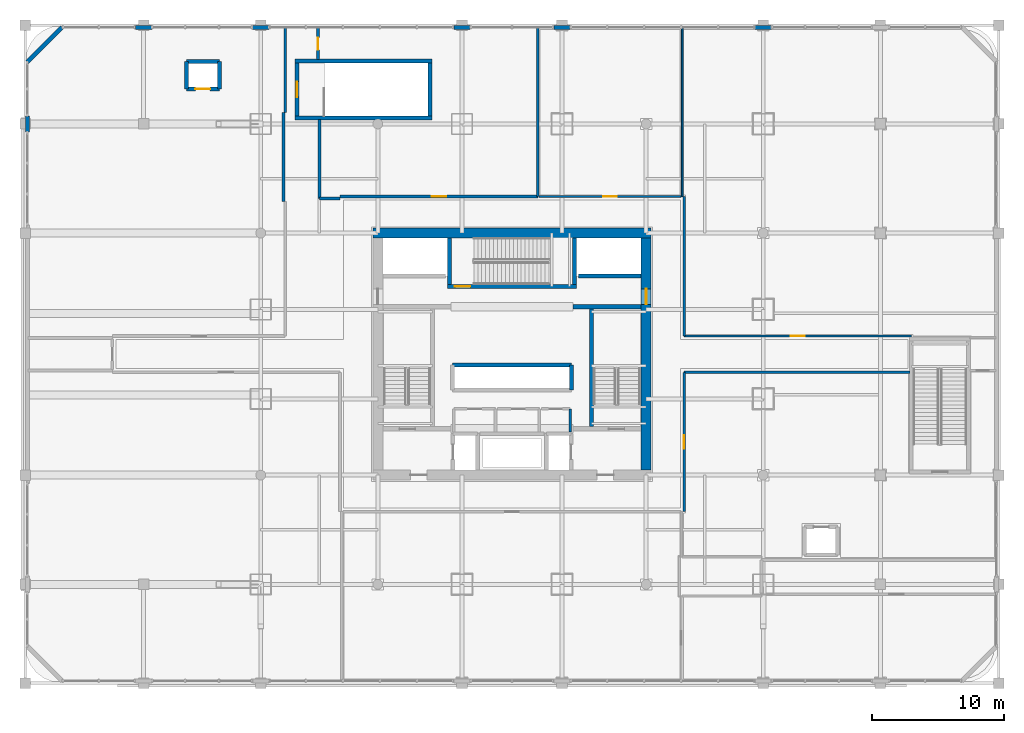
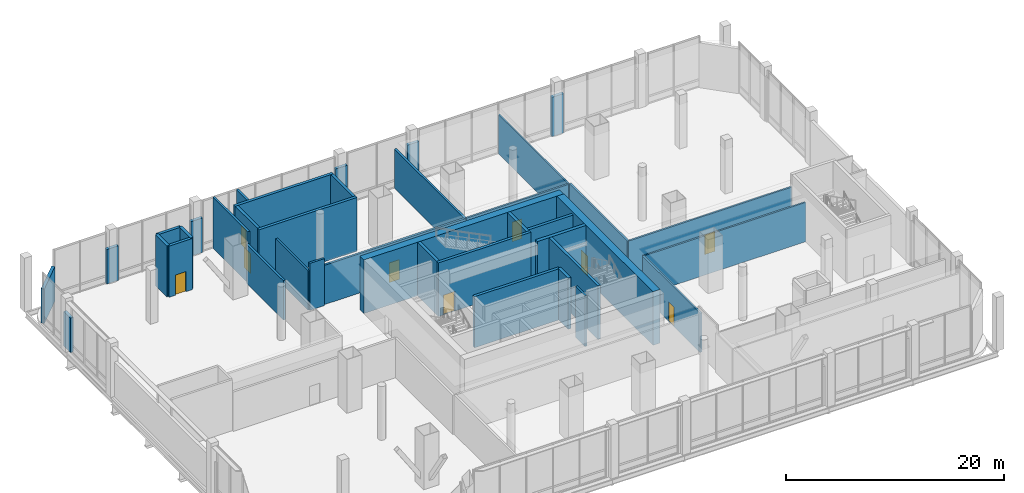
# One storey, part 28 of 38: 39 walls, 9 doors, 9 openings.
"""IFC4 building model written with IfcOpenShell, lengths in metres."""

from ifc_helpers import new_model, si_unit, direction, frame, frame_2d, origin, place, context, subcontext, project, spatial, rectangle, extrude, material, layer, layer_set, type_object, element, fill, save


model = new_model("IFC4")

# Units and contexts
model_context = context("Model", 3, precision=1e-05, world=origin(), true_north=direction((0.0, 1.0)))
body_context = subcontext(model_context, "Body", "Model", "MODEL_VIEW")
ifc_project = project(units=[si_unit("LENGTHUNIT", "METRE"), si_unit("AREAUNIT", "SQUARE_METRE"), si_unit("VOLUMEUNIT", "CUBIC_METRE"), si_unit("PLANEANGLEUNIT", "RADIAN"), si_unit("MASSUNIT", "GRAM", prefix="KILO")], contexts=[model_context])

# Site, building, storey
site_placement = place(None, origin())
site = spatial("IfcSite", under=ifc_project, at=site_placement, CompositionType="ELEMENT")
building_placement = place(site_placement, origin())
building = spatial("IfcBuilding", under=site, at=building_placement, Name="Punatoya Terracotta Tower", CompositionType="ELEMENT")
storey_placement = place(building_placement, frame((0.0, 0.0, 22.199951171875)))
storey = spatial("IfcBuildingStorey", under=building, at=storey_placement, Name="L04", CompositionType="ELEMENT", Elevation=22.199951171875)

# Wall
ifc_material_1 = material(Name="Concrete C60/75", Category="concrete")
ifc_layer_1 = layer(ifc_material_1, 0.75)
ifc_layer_set_1 = layer_set([ifc_layer_1], Name="Concrete C60/75")
wall_type_1 = type_object("IfcWallType", Name="WL-COR-750", PredefinedType="SHEAR", material=ifc_layer_set_1)
wall_1_placement = place(storey_placement, frame((-10.574951171875, 9.199951171875, 0.0), z_axis=(0.0, 0.0, 1.0), x_axis=(1.0, 0.0, 0.0)))
element("IfcWall", 1, at=wall_1_placement, inside=storey, type_object=wall_type_1, Name="L04 Core Shear Wall N", PredefinedType="SHEAR", context=body_context, shape_type="SweptSolid", body=[
    extrude(rectangle(XDim=21.14990234375, YDim=0.75, at=frame_2d((10.574951171875, 0.0))), origin(), (0.0, 0.0, 1.0), 6.0),
])

# Wall, opening, door
wall_2_placement = place(storey_placement, frame((10.199951171875, 8.824951171875, 0.0), z_axis=(0.0, 0.0, 1.0), x_axis=(0.0, -1.0, 0.0)))
wall_2 = element("IfcWall", 2, at=wall_2_placement, inside=storey, type_object=wall_type_1, Name="L04 Core Shear Wall E", PredefinedType="SHEAR", context=body_context, shape_type="SweptSolid", body=[
    extrude(rectangle(XDim=17.64990234375, YDim=0.75, at=frame_2d((8.824951171875, 0.0))), origin(), (0.0, 0.0, 1.0), 6.0),
])
opening_1_placement = place(wall_2_placement, frame((3.85498046875, 0.0, 0.0)))
opening_1 = element("IfcOpeningElement", 3, at=opening_1_placement, cuts=wall_2, Name="Opening SD-01", PredefinedType="OPENING", context=body_context, shape_type="SweptSolid", body=[
    extrude(rectangle(XDim=1.179931640625, YDim=2.199951171875, at=frame_2d((0.58984375, 1.10009765625))), frame((0.0, 0.385009765625, 0.0), z_axis=(0.0, -1.0, 0.0), x_axis=(1.0, 0.0, 0.0)), (0.0, 0.0, 1.0), 0.77001953125),
])
ifc_material_2 = material(Name="Galvanised Steel Pressurized Stair Fire Door", Category="steel")
door_type_1 = type_object("IfcDoorType", Name="DR-STR-1180", OperationType="NOTDEFINED", PredefinedType="DOOR", material=ifc_material_2)
door_1_placement = place(opening_1_placement, origin())
door_1 = element("IfcDoor", 4, at=door_1_placement, inside=storey, type_object=door_type_1, Name="L04 Central Lift Lobby East Fire Door", OperationType="SINGLE_SWING_RIGHT", OverallHeight=2.199951171875, OverallWidth=1.179931640625, PredefinedType="DOOR", context=body_context, shape_type="SweptSolid", body=[
    extrude(rectangle(XDim=1.179931640625, YDim=2.199951171875, at=frame_2d((0.58984375, 1.10009765625))), frame((0.0, 0.02490234375, 0.0), z_axis=(0.0, -1.0, 0.0), x_axis=(1.0, 0.0, 0.0)), (0.0, 0.0, 1.0), 0.050048828125),
])
fill(opening_1, door_1)

ifc_material_3 = material(Name="Gypsum Fireboard + Steel Stud", Category="steel")
ifc_layer_2 = layer(ifc_material_3, 0.179931640625)
ifc_layer_set_2 = layer_set([ifc_layer_2], Name="Gypsum Fireboard + Steel Stud")
wall_type_2 = type_object("IfcWallType", Name="WL-CORR-180", PredefinedType="PARTITIONING", material=ifc_layer_set_2)
wall_3_placement = place(storey_placement, frame((13.080078125, -11.97998046875, 0.0), z_axis=(0.0, 0.0, 1.0), x_axis=(0.0, 1.0, 0.0)))
wall_3 = element("IfcWall", 5, at=wall_3_placement, inside=storey, type_object=wall_type_2, Name="L04 South-East Staff Wellness Fitness Studio Partition 28", PredefinedType="PARTITIONING", context=body_context, shape_type="SweptSolid", body=[
    extrude(rectangle(XDim=10.60009765625, YDim=0.179931640625, at=frame_2d((5.300048828125, 0.0))), origin(), (0.0, 0.0, 1.0), 4.39404296875),
])
opening_2_placement = place(wall_3_placement, frame((4.77490234375, 0.0, 0.0)))
opening_2 = element("IfcOpeningElement", 6, at=opening_2_placement, cuts=wall_3, Name="Opening OD-01", PredefinedType="OPENING", context=body_context, shape_type="SweptSolid", body=[
    extrude(rectangle(XDim=1.050048828125, YDim=2.199951171875, at=frame_2d((0.52490234375, 1.10009765625))), frame((0.0, 0.099853515625, 0.0), z_axis=(0.0, -1.0, 0.0), x_axis=(1.0, 0.0, 0.0)), (0.0, 0.0, 1.0), 0.199951171875),
])
ifc_material_4 = material(Name="Bengal Teak Solid-Core Leaf")
door_type_2 = type_object("IfcDoorType", Name="DR-OFF-1050", OperationType="NOTDEFINED", PredefinedType="DOOR", material=ifc_material_4)
door_2_placement = place(opening_2_placement, origin())
door_2 = element("IfcDoor", 7, at=door_2_placement, inside=storey, type_object=door_type_2, Name="L04 South-East Staff Wellness Fitness Studio Door", OperationType="SINGLE_SWING_RIGHT", OverallHeight=2.199951171875, OverallWidth=1.050048828125, PredefinedType="DOOR", context=body_context, shape_type="SweptSolid", body=[
    extrude(rectangle(XDim=1.050048828125, YDim=2.199951171875, at=frame_2d((0.52490234375, 1.10009765625))), frame((0.0, 0.02490234375, 0.0), z_axis=(0.0, -1.0, 0.0), x_axis=(1.0, 0.0, 0.0)), (0.0, 0.0, 1.0), 0.050048828125),
])
fill(opening_2, door_2)

# Wall
wall_4_placement = place(storey_placement, frame((13.080078125, -1.3798828125, 0.0), z_axis=(0.0, 0.0, 1.0), x_axis=(1.0, 0.0, 0.0)))
element("IfcWall", 8, at=wall_4_placement, inside=storey, type_object=wall_type_2, Name="L04 South-East Staff Wellness Fitness Studio Partition 29", PredefinedType="PARTITIONING", context=body_context, shape_type="SweptSolid", body=[
    extrude(rectangle(XDim=17.159912109375, YDim=0.179931640625, at=frame_2d((8.580078125, 0.0))), origin(), (0.0, 0.0, 1.0), 4.39404296875),
])

# Wall, opening, door
wall_5_placement = place(storey_placement, frame((30.3798828125, 1.3798828125, 0.0), z_axis=(0.0, 0.0, 1.0), x_axis=(-1.0, 0.0, 0.0)))
wall_5 = element("IfcWall", 9, at=wall_5_placement, inside=storey, type_object=wall_type_2, Name="L04 North-East Staff Wellness and First-Aid Suite Partition 36", PredefinedType="PARTITIONING", context=body_context, shape_type="SweptSolid", body=[
    extrude(rectangle(XDim=17.2998046875, YDim=0.179931640625, at=frame_2d((8.64990234375, 0.0))), origin(), (0.0, 0.0, 1.0), 4.39404296875),
])
opening_3_placement = place(wall_5_placement, frame((8.125, 0.0, 0.0)))
opening_3 = element("IfcOpeningElement", 10, at=opening_3_placement, cuts=wall_5, Name="Opening OD-01", PredefinedType="OPENING", context=body_context, shape_type="SweptSolid", body=[
    extrude(rectangle(XDim=1.050048828125, YDim=2.199951171875, at=frame_2d((0.52490234375, 1.10009765625))), frame((0.0, 0.099853515625, 0.0), z_axis=(0.0, -1.0, 0.0), x_axis=(1.0, 0.0, 0.0)), (0.0, 0.0, 1.0), 0.199951171875),
])
door_3_placement = place(opening_3_placement, origin())
door_3 = element("IfcDoor", 11, at=door_3_placement, inside=storey, type_object=door_type_2, Name="L04 North-East Staff Wellness and First-Aid Suite Door", OperationType="SINGLE_SWING_LEFT", OverallHeight=2.199951171875, OverallWidth=1.050048828125, PredefinedType="DOOR", context=body_context, shape_type="SweptSolid", body=[
    extrude(rectangle(XDim=1.050048828125, YDim=2.199951171875, at=frame_2d((0.52490234375, 1.10009765625))), frame((0.0, 0.02490234375, 0.0), z_axis=(0.0, -1.0, 0.0), x_axis=(1.0, 0.0, 0.0)), (0.0, 0.0, 1.0), 0.050048828125),
])
fill(opening_3, door_3)

# Wall
wall_6_placement = place(storey_placement, frame((13.080078125, 1.3798828125, 0.0), z_axis=(0.0, 0.0, 1.0), x_axis=(0.0, 1.0, 0.0)))
element("IfcWall", 12, at=wall_6_placement, inside=storey, type_object=wall_type_2, Name="L04 North-East Staff Wellness and First-Aid Suite Partition 37", PredefinedType="PARTITIONING", context=body_context, shape_type="SweptSolid", body=[
    extrude(rectangle(XDim=10.60009765625, YDim=0.179931640625, at=frame_2d((5.300048828125, 0.0))), origin(), (0.0, 0.0, 1.0), 4.39404296875),
])

# Wall, opening, door
wall_7_placement = place(storey_placement, frame((12.860107421875, 11.97998046875, 0.0), z_axis=(0.0, 0.0, 1.0), x_axis=(-1.0, 0.0, 0.0)))
wall_7 = element("IfcWall", 13, at=wall_7_placement, inside=storey, type_object=wall_type_2, Name="L04 North Facilities Engineering Office Partition 39", PredefinedType="PARTITIONING", context=body_context, shape_type="SweptSolid", body=[
    extrude(rectangle(XDim=10.820068359375, YDim=0.179931640625, at=frame_2d((5.41015625, 0.0))), origin(), (0.0, 0.0, 1.0), 4.39404296875),
])
opening_4_placement = place(wall_7_placement, frame((4.885009765625, 0.0, 0.0)))
opening_4 = element("IfcOpeningElement", 14, at=opening_4_placement, cuts=wall_7, Name="Opening OD-01", PredefinedType="OPENING", context=body_context, shape_type="SweptSolid", body=[
    extrude(rectangle(XDim=1.050048828125, YDim=2.199951171875, at=frame_2d((0.52490234375, 1.10009765625))), frame((0.0, 0.099853515625, 0.0), z_axis=(0.0, -1.0, 0.0), x_axis=(1.0, 0.0, 0.0)), (0.0, 0.0, 1.0), 0.199951171875),
])
door_4_placement = place(opening_4_placement, origin())
door_4 = element("IfcDoor", 15, at=door_4_placement, inside=storey, type_object=door_type_2, Name="L04 North Facilities Engineering Office Door", OperationType="SINGLE_SWING_RIGHT", OverallHeight=2.199951171875, OverallWidth=1.050048828125, PredefinedType="DOOR", context=body_context, shape_type="SweptSolid", body=[
    extrude(rectangle(XDim=1.050048828125, YDim=2.199951171875, at=frame_2d((0.52490234375, 1.10009765625))), frame((0.0, 0.02490234375, 0.0), z_axis=(0.0, -1.0, 0.0), x_axis=(1.0, 0.0, 0.0)), (0.0, 0.0, 1.0), 0.050048828125),
])
fill(opening_4, door_4)

# Walls
ifc_material_5 = material(Name="Precast concrete C40/50", Category="concrete")
ifc_layer_3 = layer(ifc_material_5, 0.320068359375)
ifc_layer_set_3 = layer_set([ifc_layer_3], Name="Precast concrete C40/50")
wall_type_3 = type_object("IfcWallType", Name="WL-EXT-320", PredefinedType="SOLIDWALL", material=ifc_layer_set_3)
wall_8_placement = place(storey_placement, frame((-27.3798828125, 24.840087890625, 0.0), z_axis=(0.0, 0.0, 1.0), x_axis=(-1.0, 0.0, 0.0)))
element("IfcWall", 16, at=wall_8_placement, inside=storey, type_object=wall_type_3, Name="L04 North Column Cladding Pier 1", PredefinedType="SOLIDWALL", context=body_context, shape_type="SweptSolid", body=[
    extrude(rectangle(XDim=1.240234375, YDim=0.320068359375, at=frame_2d((0.6201171875, 0.0))), origin(), (0.0, 0.0, 1.0), 3.864013671875),
])
wall_9_placement = place(storey_placement, frame((-18.47998046875, 24.840087890625, 0.0), z_axis=(0.0, 0.0, 1.0), x_axis=(-1.0, 0.0, 0.0)))
element("IfcWall", 17, at=wall_9_placement, inside=storey, type_object=wall_type_3, Name="L04 North Column Cladding Pier 2", PredefinedType="SOLIDWALL", context=body_context, shape_type="SweptSolid", body=[
    extrude(rectangle(XDim=1.239990234375, YDim=0.320068359375, at=frame_2d((0.6201171875, 0.0))), origin(), (0.0, 0.0, 1.0), 3.864013671875),
])
for number, where, z_axis, x_axis, name in (
    (18, (-3.179931640625, 24.840087890625, 0.0), (0.0, 0.0, 1.0), (-1.0, 0.0, 0.0), "L04 North Column Cladding Pier 3"),
    (19, (4.419921875, 24.840087890625, 0.0), (0.0, 0.0, 1.0), (-1.0, 0.0, 0.0), "L04 North Column Cladding Pier 4"),
    (20, (19.719970703125, 24.840087890625, 0.0), (0.0, 0.0, 1.0), (-1.0, 0.0, 0.0), "L04 North Column Cladding Pier 5"),
):
    element("IfcWall", number, at=place(storey_placement, frame(where, z_axis=z_axis, x_axis=x_axis)), inside=storey, type_object=wall_type_3, Name=name, PredefinedType="SOLIDWALL", context=body_context, shape_type="SweptSolid", body=[
        extrude(rectangle(XDim=1.239990234375, YDim=0.320068359375, at=frame_2d((0.6201171875, 0.0))), origin(), (0.0, 0.0, 1.0), 4.39404296875),
    ])
wall_10_placement = place(storey_placement, frame((-36.840087890625, 16.8798828125, 0.0), z_axis=(0.0, 0.0, 1.0), x_axis=(0.0, 1.0, 0.0)))
element("IfcWall", 21, at=wall_10_placement, inside=storey, type_object=wall_type_3, Name="L04 West Pier 1-G", PredefinedType="SOLIDWALL", context=body_context, shape_type="SweptSolid", body=[
    extrude(rectangle(XDim=1.240234375, YDim=0.320068359375, at=frame_2d((0.6201171875, 0.0))), origin(), (0.0, 0.0, 1.0), 3.864013671875),
])
wall_11_placement = place(storey_placement, frame((-36.840087890625, 22.199951171875, 0.0), z_axis=(0.0, 0.0, 1.0), x_axis=(0.707106781187, 0.707106781187, 0.0)))
element("IfcWall", 22, at=wall_11_placement, inside=storey, type_object=wall_type_3, Name="L04 Terracotta Corner Pier 2", PredefinedType="SOLIDWALL", context=body_context, shape_type="SweptSolid", body=[
    extrude(rectangle(XDim=3.733642578125, YDim=0.320068359375, at=frame_2d((1.86669921875, 0.0))), origin(), (0.0, 0.0, 1.0), 3.864013671875),
])
ifc_material_6 = material(Name="Concrete C40/50", Category="concrete")
ifc_layer_4 = layer(ifc_material_6, 0.219970703125)
ifc_layer_set_4 = layer_set([ifc_layer_4], Name="Concrete C40/50")
wall_type_4 = type_object("IfcWallType", Name="WL-FIR-220", PredefinedType="SOLIDWALL", material=ifc_layer_set_4)
wall_12_placement = place(storey_placement, frame((-17.239990234375, 24.780029296875, 0.0), z_axis=(0.0, 0.0, 1.0), x_axis=(0.0, -1.0, 0.0)))
element("IfcWall", 23, at=wall_12_placement, inside=storey, type_object=wall_type_4, Name="L04 North-West Podium Air-Handling Plant Room Partition 12", PredefinedType="SOLIDWALL", context=body_context, shape_type="SweptSolid", body=[
    extrude(rectangle(XDim=6.400146484375, YDim=0.219970703125, at=frame_2d((3.2001953125, 0.0))), origin(), (0.0, 0.0, 1.0), 5.719970703125),
])
wall_13_placement = place(storey_placement, frame((-17.3798828125, 18.3798828125, 0.0), z_axis=(0.0, 0.0, 1.0), x_axis=(0.0, -1.0, 0.0)))
element("IfcWall", 24, at=wall_13_placement, inside=storey, type_object=wall_type_4, Name="L04 North-West Podium Air-Handling Plant Room Partition 13", PredefinedType="SOLIDWALL", context=body_context, shape_type="SweptSolid", body=[
    extrude(rectangle(XDim=6.759765625, YDim=0.219970703125, at=frame_2d((3.3798828125, 0.0))), origin(), (0.0, 0.0, 1.0), 4.39404296875),
])
wall_14_placement = place(storey_placement, frame((1.9599609375, 24.780029296875, 0.0), z_axis=(0.0, 0.0, 1.0), x_axis=(0.0, -1.0, 0.0)))
element("IfcWall", 25, at=wall_14_placement, inside=storey, type_object=wall_type_4, Name="L04 North Transfer Fan Room Partition 18", PredefinedType="SOLIDWALL", context=body_context, shape_type="SweptSolid", body=[
    extrude(rectangle(XDim=12.800048828125, YDim=0.219970703125, at=frame_2d((6.39990234375, 0.0))), origin(), (0.0, 0.0, 1.0), 4.39404296875),
])

# Wall, opening, door
wall_15_placement = place(storey_placement, frame((1.9599609375, 11.97998046875, 0.0), z_axis=(0.0, 0.0, 1.0), x_axis=(-1.0, 0.0, 0.0)))
wall_15 = element("IfcWall", 26, at=wall_15_placement, inside=storey, type_object=wall_type_4, Name="L04 North Transfer Fan Room Partition 19", PredefinedType="SOLIDWALL", context=body_context, shape_type="SweptSolid", body=[
    extrude(rectangle(XDim=15.0400390625, YDim=0.219970703125, at=frame_2d((7.52001953125, 0.0))), origin(), (0.0, 0.0, 1.0), 4.39404296875),
])
opening_5_placement = place(wall_15_placement, frame((6.969970703125, 0.0, 0.0)))
opening_5 = element("IfcOpeningElement", 27, at=opening_5_placement, cuts=wall_15, Name="Opening FD-P1", PredefinedType="OPENING", context=body_context, shape_type="SweptSolid", body=[
    extrude(rectangle(XDim=1.10009765625, YDim=2.199951171875, at=frame_2d((0.550048828125, 1.10009765625))), frame((0.0, 0.119873046875, 0.0), z_axis=(0.0, -1.0, 0.0), x_axis=(1.0, 0.0, 0.0)), (0.0, 0.0, 1.0), 0.239990234375),
])
ifc_material_7 = material(Name="Galvanised Steel Plant Fire Door", Category="steel")
door_type_3 = type_object("IfcDoorType", Name="DR-PLT-1100", OperationType="NOTDEFINED", PredefinedType="DOOR", material=ifc_material_7)
door_5_placement = place(opening_5_placement, origin())
door_5 = element("IfcDoor", 28, at=door_5_placement, inside=storey, type_object=door_type_3, Name="L04 North Transfer Fan Room Fire Door", OperationType="SINGLE_SWING_LEFT", OverallHeight=2.199951171875, OverallWidth=1.10009765625, PredefinedType="DOOR", context=body_context, shape_type="SweptSolid", body=[
    extrude(rectangle(XDim=1.10009765625, YDim=2.199951171875, at=frame_2d((0.550048828125, 1.10009765625))), frame((0.0, 0.02490234375, 0.0), z_axis=(0.0, -1.0, 0.0), x_axis=(1.0, 0.0, 0.0)), (0.0, 0.0, 1.0), 0.050048828125),
])
fill(opening_5, door_5)

# Walls
wall_16_placement = place(storey_placement, frame((-13.080078125, 11.840087890625, 0.0), z_axis=(0.0, 0.0, 1.0), x_axis=(-1.0, 0.0, 0.0)))
element("IfcWall", 29, at=wall_16_placement, inside=storey, type_object=wall_type_4, Name="L04 North Transfer Fan Room Partition 20", PredefinedType="SOLIDWALL", context=body_context, shape_type="SweptSolid", body=[
    extrude(rectangle(XDim=1.5400390625, YDim=0.219970703125, at=frame_2d((0.77001953125, 0.0))), origin(), (0.0, 0.0, 1.0), 5.26416015625),
])
wall_17_placement = place(storey_placement, frame((-14.6201171875, 11.840087890625, 0.0), z_axis=(0.0, 0.0, 1.0), x_axis=(0.0, 1.0, 0.0)))
element("IfcWall", 30, at=wall_17_placement, inside=storey, type_object=wall_type_4, Name="L04 North Transfer Fan Room Partition 21", PredefinedType="SOLIDWALL", context=body_context, shape_type="SweptSolid", body=[
    extrude(rectangle(XDim=6.0, YDim=0.219970703125, at=frame_2d((3.0, 0.0))), origin(), (0.0, 0.0, 1.0), 4.39404296875),
])

# Wall, opening, door
wall_18_placement = place(storey_placement, frame((-14.760009765625, 22.409912109375, 0.0), z_axis=(0.0, 0.0, 1.0), x_axis=(0.0, 1.0, 0.0)))
wall_18 = element("IfcWall", 31, at=wall_18_placement, inside=storey, type_object=wall_type_4, Name="L04 North Transfer Fan Room Partition 22", PredefinedType="SOLIDWALL", context=body_context, shape_type="SweptSolid", body=[
    extrude(rectangle(XDim=2.3701171875, YDim=0.219970703125, at=frame_2d((1.18505859375, 0.0))), origin(), (0.0, 0.0, 1.0), 5.719970703125),
])
opening_6_placement = place(wall_18_placement, frame((0.72509765625, 0.0, 0.0)))
opening_6 = element("IfcOpeningElement", 32, at=opening_6_placement, cuts=wall_18, Name="Opening FD-R1", PredefinedType="OPENING", context=body_context, shape_type="SweptSolid", body=[
    extrude(rectangle(XDim=0.919921875, YDim=2.10009765625, at=frame_2d((0.4599609375, 1.050048828125))), frame((0.0, 0.119873046875, 0.0), z_axis=(0.0, -1.0, 0.0), x_axis=(1.0, 0.0, 0.0)), (0.0, 0.0, 1.0), 0.239990234375),
])
ifc_material_8 = material(Name="Galvanised Steel Riser Fire Access Door", Category="steel")
door_type_4 = type_object("IfcDoorType", Name="DR-RSR-920", OperationType="NOTDEFINED", PredefinedType="DOOR", material=ifc_material_8)
door_6_placement = place(opening_6_placement, origin())
door_6 = element("IfcDoor", 33, at=door_6_placement, inside=storey, type_object=door_type_4, Name="L04 North-West Riser Vestibule Store Fire Door", OperationType="SINGLE_SWING_RIGHT", OverallHeight=2.10009765625, OverallWidth=0.919921875, PredefinedType="DOOR", context=body_context, shape_type="SweptSolid", body=[
    extrude(rectangle(XDim=0.919921875, YDim=2.10009765625, at=frame_2d((0.4599609375, 1.050048828125))), frame((0.0, 0.02490234375, 0.0), z_axis=(0.0, -1.0, 0.0), x_axis=(1.0, 0.0, 0.0)), (0.0, 0.0, 1.0), 0.050048828125),
])
fill(opening_6, door_6)

# Walls
ifc_layer_5 = layer(ifc_material_6, 0.199951171875)
ifc_layer_set_5 = layer_set([ifc_layer_5], Name="Concrete C40/50")
wall_type_5 = type_object("IfcWallType", Name="WL-INT-200", PredefinedType="SOLIDWALL", material=ifc_layer_set_5)
wall_19_placement = place(storey_placement, frame((4.419921875, -5.89990234375, 0.0), z_axis=(0.0, 0.0, 1.0), x_axis=(0.0, 1.0, 0.0)))
element("IfcWall", 34, at=wall_19_placement, inside=storey, type_object=wall_type_5, Name="L04 Core Electrical Switchgear Room Partition 06", PredefinedType="SOLIDWALL", context=body_context, shape_type="SweptSolid", body=[
    extrude(rectangle(XDim=1.739990234375, YDim=0.199951171875, at=frame_2d((0.8701171875, 0.0))), origin(), (0.0, 0.0, 1.0), 5.719970703125),
])
ifc_material_9 = material(Name="Acoustic Gypsum + Steel Stud", Category="steel")
ifc_layer_6 = layer(ifc_material_9, 0.139892578125)
ifc_layer_set_6 = layer_set([ifc_layer_6], Name="Acoustic Gypsum + Steel Stud")
wall_type_6 = type_object("IfcWallType", Name="WL-OFF-140", PredefinedType="PARTITIONING", material=ifc_layer_set_6)
wall_20_placement = place(storey_placement, frame((12.93994140625, 11.97998046875, 0.0), z_axis=(0.0, 0.0, 1.0), x_axis=(0.0, 1.0, 0.0)))
element("IfcWall", 35, at=wall_20_placement, inside=storey, type_object=wall_type_6, Name="L04 North-East Staff Wellness and First-Aid Suite Partition 38", PredefinedType="PARTITIONING", context=body_context, shape_type="SweptSolid", body=[
    extrude(rectangle(XDim=12.800048828125, YDim=0.139892578125, at=frame_2d((6.39990234375, 0.0))), origin(), (0.0, 0.0, 1.0), 4.39404296875),
])
ifc_layer_7 = layer(ifc_material_6, 0.300048828125)
ifc_layer_set_7 = layer_set([ifc_layer_7], Name="Concrete C40/50")
wall_type_7 = type_object("IfcWallType", Name="WL-SHF-300", PredefinedType="SOLIDWALL", material=ifc_layer_set_7)
wall_21_placement = place(storey_placement, frame((6.050048828125, 3.449951171875, 0.0), z_axis=(0.0, 0.0, 1.0), x_axis=(0.0, -1.0, 0.0)))
element("IfcWall", 36, at=wall_21_placement, inside=storey, type_object=wall_type_7, Name="L04 Structural Stair Shaft Wall SW-ST2-W", PredefinedType="SOLIDWALL", context=body_context, shape_type="SweptSolid", body=[
    extrude(rectangle(XDim=8.949951171875, YDim=0.300048828125, at=frame_2d((4.47509765625, 0.0))), origin(), (0.0, 0.0, 1.0), 6.0),
])
for number, where, z_axis, x_axis, name in (
    (37, (-4.75, 5.300048828125, 0.0), (0.0, 0.0, 1.0), (0.0, 1.0, 0.0), "L04 Structural Stair Shaft Wall SW-ST3-W"),
    (38, (4.75, 8.824951171875, 0.0), (0.0, 0.0, 1.0), (0.0, -1.0, 0.0), "L04 Structural Stair Shaft Wall SW-ST3-E"),
):
    element("IfcWall", number, at=place(storey_placement, frame(where, z_axis=z_axis, x_axis=x_axis)), inside=storey, type_object=wall_type_7, Name=name, PredefinedType="SOLIDWALL", context=body_context, shape_type="SweptSolid", body=[
        extrude(rectangle(XDim=3.52490234375, YDim=0.300048828125, at=frame_2d((1.762451171875, 0.0))), origin(), (0.0, 0.0, 1.0), 6.0),
    ])

# Wall, opening, door
wall_22_placement = place(storey_placement, frame((-4.89990234375, 5.14990234375, 0.0), z_axis=(0.0, 0.0, 1.0), x_axis=(1.0, 0.0, 0.0)))
wall_22 = element("IfcWall", 39, at=wall_22_placement, inside=storey, type_object=wall_type_7, Name="L04 Structural Stair Shaft Wall SW-ST3-S", PredefinedType="SOLIDWALL", context=body_context, shape_type="SweptSolid", body=[
    extrude(rectangle(XDim=9.7998046875, YDim=0.300048828125, at=frame_2d((4.89990234375, 0.0))), origin(), (0.0, 0.0, 1.0), 6.0),
])
opening_7_placement = place(wall_22_placement, frame((0.56005859375, 0.0, 0.0)))
opening_7 = element("IfcOpeningElement", 40, at=opening_7_placement, cuts=wall_22, Name="Opening SD-01", PredefinedType="OPENING", context=body_context, shape_type="SweptSolid", body=[
    extrude(rectangle(XDim=1.179931640625, YDim=2.199951171875, at=frame_2d((0.58984375, 1.10009765625))), frame((0.0, 0.159912109375, 0.0), z_axis=(0.0, -1.0, 0.0), x_axis=(1.0, 0.0, 0.0)), (0.0, 0.0, 1.0), 0.320068359375),
])
door_7_placement = place(opening_7_placement, origin())
door_7 = element("IfcDoor", 41, at=door_7_placement, inside=storey, type_object=door_type_1, Name="L04 Stair ST-3 Core Lobby Fire Door", OperationType="SINGLE_SWING_LEFT", OverallHeight=2.199951171875, OverallWidth=1.179931640625, PredefinedType="DOOR", context=body_context, shape_type="SweptSolid", body=[
    extrude(rectangle(XDim=1.179931640625, YDim=2.199951171875, at=frame_2d((0.58984375, 1.10009765625))), frame((0.0, 0.02490234375, 0.0), z_axis=(0.0, -1.0, 0.0), x_axis=(1.0, 0.0, 0.0)), (0.0, 0.0, 1.0), 0.050048828125),
])
fill(opening_7, door_7)

# Walls
for number, where, z_axis, x_axis, name in (
    (42, (-16.5, 17.949951171875, 0.0), (0.0, 0.0, 1.0), (1.0, 0.0, 0.0), "L04 ST-P1 South Structural Shaft Wall"),
    (43, (-6.10009765625, 22.300048828125, 0.0), (0.0, 0.0, 1.0), (-1.0, 0.0, 0.0), "L04 ST-P1 North Structural Shaft Wall"),
):
    element("IfcWall", number, at=place(storey_placement, frame(where, z_axis=z_axis, x_axis=x_axis)), inside=storey, type_object=wall_type_7, Name=name, PredefinedType="SOLIDWALL", context=body_context, shape_type="SweptSolid", body=[
        extrude(rectangle(XDim=10.39990234375, YDim=0.300048828125, at=frame_2d((5.199951171875, 0.0))), origin(), (0.0, 0.0, 1.0), 6.0),
    ])

# Wall, opening, door
wall_23_placement = place(storey_placement, frame((-16.35009765625, 18.10009765625, 0.0), z_axis=(0.0, 0.0, 1.0), x_axis=(0.0, 1.0, 0.0)))
wall_23 = element("IfcWall", 44, at=wall_23_placement, inside=storey, type_object=wall_type_7, Name="L04 ST-P1 West Structural Shaft Wall", PredefinedType="SOLIDWALL", context=body_context, shape_type="SweptSolid", body=[
    extrude(rectangle(XDim=4.0498046875, YDim=0.300048828125, at=frame_2d((2.02490234375, 0.0))), origin(), (0.0, 0.0, 1.0), 6.0),
])
opening_8_placement = place(wall_23_placement, frame((1.43505859375, 0.0, 0.0)))
opening_8 = element("IfcOpeningElement", 45, at=opening_8_placement, cuts=wall_23, Name="Opening SD-01", PredefinedType="OPENING", context=body_context, shape_type="SweptSolid", body=[
    extrude(rectangle(XDim=1.179931640625, YDim=2.199951171875, at=frame_2d((0.58984375, 1.10009765625))), frame((0.0, 0.159912109375, 0.0), z_axis=(0.0, -1.0, 0.0), x_axis=(1.0, 0.0, 0.0)), (0.0, 0.0, 1.0), 0.320068359375),
])
door_8_placement = place(opening_8_placement, origin())
door_8 = element("IfcDoor", 46, at=door_8_placement, inside=storey, type_object=door_type_1, Name="L04 Podium Stair ST-P1 Fire Door", OperationType="SINGLE_SWING_LEFT", OverallHeight=2.199951171875, OverallWidth=1.179931640625, PredefinedType="DOOR", context=body_context, shape_type="SweptSolid", body=[
    extrude(rectangle(XDim=1.179931640625, YDim=2.199951171875, at=frame_2d((0.58984375, 1.10009765625))), frame((0.0, 0.02490234375, 0.0), z_axis=(0.0, -1.0, 0.0), x_axis=(1.0, 0.0, 0.0)), (0.0, 0.0, 1.0), 0.050048828125),
])
fill(opening_8, door_8)

# Walls
wall_24_placement = place(storey_placement, frame((-6.25, 22.14990234375, 0.0), z_axis=(0.0, 0.0, 1.0), x_axis=(0.0, -1.0, 0.0)))
element("IfcWall", 47, at=wall_24_placement, inside=storey, type_object=wall_type_7, Name="L04 ST-P1 East Structural Shaft Wall", PredefinedType="SOLIDWALL", context=body_context, shape_type="SweptSolid", body=[
    extrude(rectangle(XDim=4.0498046875, YDim=0.300048828125, at=frame_2d((2.02490234375, 0.0))), origin(), (0.0, 0.0, 1.0), 6.0),
])
wall_25_placement = place(storey_placement, frame((-4.52001953125, -0.840087890625, 0.0), z_axis=(0.0, 0.0, 1.0), x_axis=(1.0, 0.0, 0.0)))
element("IfcWall", 48, at=wall_25_placement, inside=storey, type_object=wall_type_7, Name="L04 South Lift Bank Front Shaft Wall", PredefinedType="SOLIDWALL", context=body_context, shape_type="SweptSolid", body=[
    extrude(rectangle(XDim=9.0400390625, YDim=0.300048828125, at=frame_2d((4.52001953125, 0.0))), origin(), (0.0, 0.0, 1.0), 5.719970703125),
])
wall_26_placement = place(storey_placement, frame((4.52001953125, -2.719970703125, 0.0), z_axis=(0.0, 0.0, 1.0), x_axis=(0.0, 1.0, 0.0)))
element("IfcWall", 49, at=wall_26_placement, inside=storey, type_object=wall_type_7, Name="L04 South Lift Bank East End Wall", PredefinedType="SOLIDWALL", context=body_context, shape_type="SweptSolid", body=[
    extrude(rectangle(XDim=1.8798828125, YDim=0.300048828125, at=frame_2d((0.93994140625, 0.0))), origin(), (0.0, 0.0, 1.0), 5.719970703125),
])
wall_27_placement = place(storey_placement, frame((5.06005859375, 5.949951171875, 0.0), z_axis=(0.0, 0.0, 1.0), x_axis=(1.0, 0.0, 0.0)))
element("IfcWall", 50, at=wall_27_placement, inside=storey, type_object=wall_type_7, Name="L04 Shuttle SL-2 South Hoistway Wall", PredefinedType="SOLIDWALL", context=body_context, shape_type="SweptSolid", body=[
    extrude(rectangle(XDim=4.760009765625, YDim=0.300048828125, at=frame_2d((2.3798828125, 0.0))), origin(), (0.0, 0.0, 1.0), 5.719970703125),
])

# Wall, opening, door
wall_28_placement = place(storey_placement, frame((-24.75, 20.14990234375, 0.0), z_axis=(0.0, 0.0, 1.0), x_axis=(1.0, 0.0, 0.0)))
wall_28 = element("IfcWall", 51, at=wall_28_placement, inside=storey, type_object=wall_type_7, Name="L04 Podium Lift PL-P1 Front Wall", PredefinedType="SOLIDWALL", context=body_context, shape_type="SweptSolid", body=[
    extrude(rectangle(XDim=2.5, YDim=0.300048828125, at=frame_2d((1.25, 0.0))), origin(), (0.0, 0.0, 1.0), 5.719970703125),
])
opening_9_placement = place(wall_28_placement, frame((0.68994140625, 0.0, 0.0)))
opening_9 = element("IfcOpeningElement", 52, at=opening_9_placement, cuts=wall_28, Name="Opening LD-02", PredefinedType="OPENING", context=body_context, shape_type="SweptSolid", body=[
    extrude(rectangle(XDim=1.1201171875, YDim=2.25, at=frame_2d((0.56005859375, 1.125))), frame((0.0, 0.159912109375, 0.0), z_axis=(0.0, -1.0, 0.0), x_axis=(1.0, 0.0, 0.0)), (0.0, 0.0, 1.0), 0.320068359375),
])
ifc_material_10 = material(Name="Stainless Steel Lift Landing Door", Category="steel")
door_type_5 = type_object("IfcDoorType", Name="DR-LND-1120", OperationType="NOTDEFINED", PredefinedType="DOOR", material=ifc_material_10)
door_9_placement = place(opening_9_placement, origin())
door_9 = element("IfcDoor", 53, at=door_9_placement, inside=storey, type_object=door_type_5, Name="L04 Podium Lift PL-P1 Sliding Landing Door", OperationType="DOUBLE_DOOR_SLIDING", OverallHeight=2.25, OverallWidth=1.1201171875, PredefinedType="DOOR", context=body_context, shape_type="SweptSolid", body=[
    extrude(rectangle(XDim=1.1201171875, YDim=2.25, at=frame_2d((0.56005859375, 1.125))), frame((0.0, 0.02490234375, 0.0), z_axis=(0.0, -1.0, 0.0), x_axis=(1.0, 0.0, 0.0)), (0.0, 0.0, 1.0), 0.050048828125),
])
fill(opening_9, door_9)

# Walls
wall_29_placement = place(storey_placement, frame((-24.75, 22.25, 0.0), z_axis=(0.0, 0.0, 1.0), x_axis=(1.0, 0.0, 0.0)))
element("IfcWall", 54, at=wall_29_placement, inside=storey, type_object=wall_type_7, Name="L04 Podium Lift PL-P1 Rear Wall", PredefinedType="SOLIDWALL", context=body_context, shape_type="SweptSolid", body=[
    extrude(rectangle(XDim=2.5, YDim=0.300048828125, at=frame_2d((1.25, 0.0))), origin(), (0.0, 0.0, 1.0), 5.719970703125),
])
for number, where, z_axis, x_axis, name in (
    (55, (-24.75, 20.14990234375, 0.0), (0.0, 0.0, 1.0), (0.0, 1.0, 0.0), "L04 Podium Lift PL-P1 West Wall"),
    (56, (-22.25, 20.14990234375, 0.0), (0.0, 0.0, 1.0), (0.0, 1.0, 0.0), "L04 Podium Lift PL-P1 East Wall"),
):
    element("IfcWall", number, at=place(storey_placement, frame(where, z_axis=z_axis, x_axis=x_axis)), inside=storey, type_object=wall_type_7, Name=name, PredefinedType="SOLIDWALL", context=body_context, shape_type="SweptSolid", body=[
        extrude(rectangle(XDim=2.10009765625, YDim=0.300048828125, at=frame_2d((1.050048828125, 0.0))), origin(), (0.0, 0.0, 1.0), 5.719970703125),
    ])
ifc_material_11 = material(Name="Concrete C50/60", Category="concrete")
ifc_layer_8 = layer(ifc_material_11, 0.35009765625)
ifc_layer_set_8 = layer_set([ifc_layer_8], Name="Concrete C50/60")
wall_type_8 = type_object("IfcWallType", Name="WL-SHF-350", PredefinedType="SOLIDWALL", material=ifc_layer_set_8)
wall_30_placement = place(storey_placement, frame((4.64990234375, 3.60009765625, 0.0), z_axis=(0.0, 0.0, 1.0), x_axis=(1.0, 0.0, 0.0)))
element("IfcWall", 57, at=wall_30_placement, inside=storey, type_object=wall_type_8, Name="L04 Core Web Wall CNW-R", PredefinedType="SOLIDWALL", context=body_context, shape_type="SweptSolid", body=[
    extrude(rectangle(XDim=5.175048828125, YDim=0.35009765625, at=frame_2d((2.58740234375, 0.0))), origin(), (0.0, 0.0, 1.0), 6.0),
])

save(model, "model.ifc")
